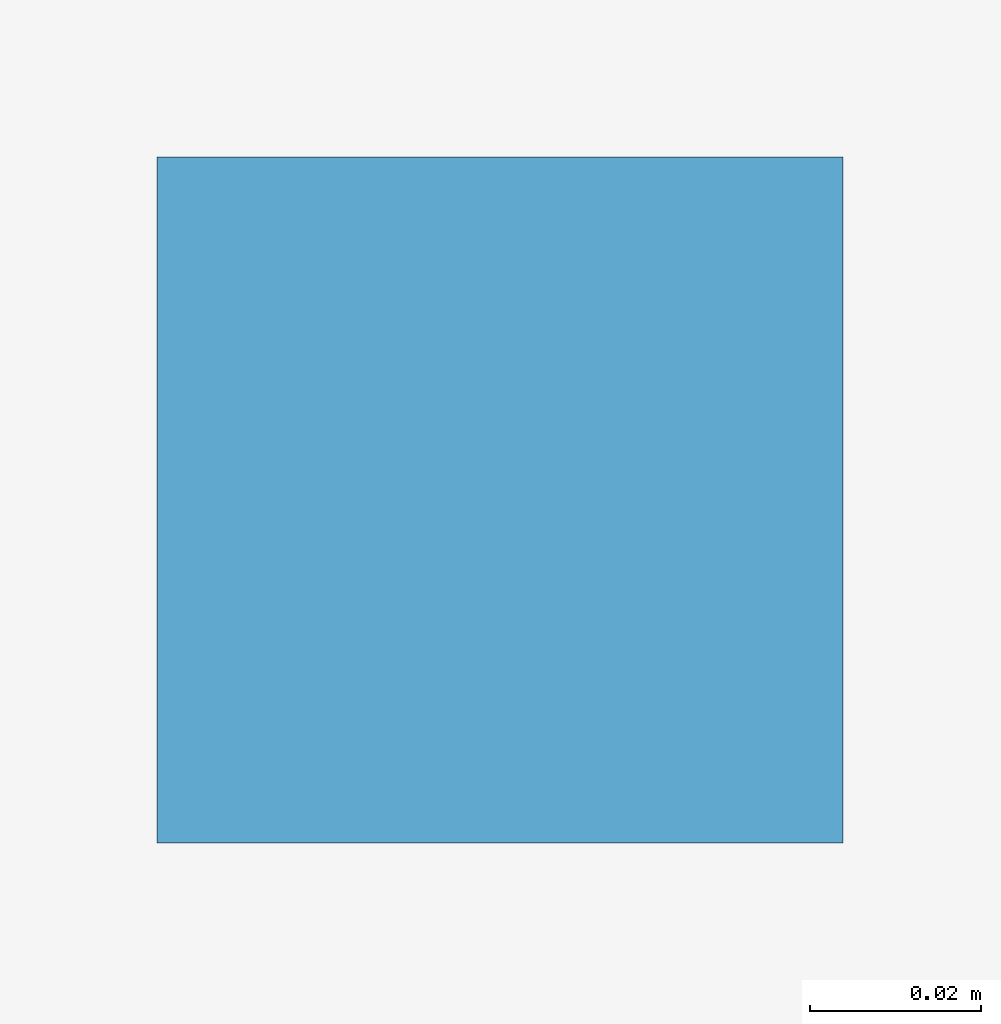
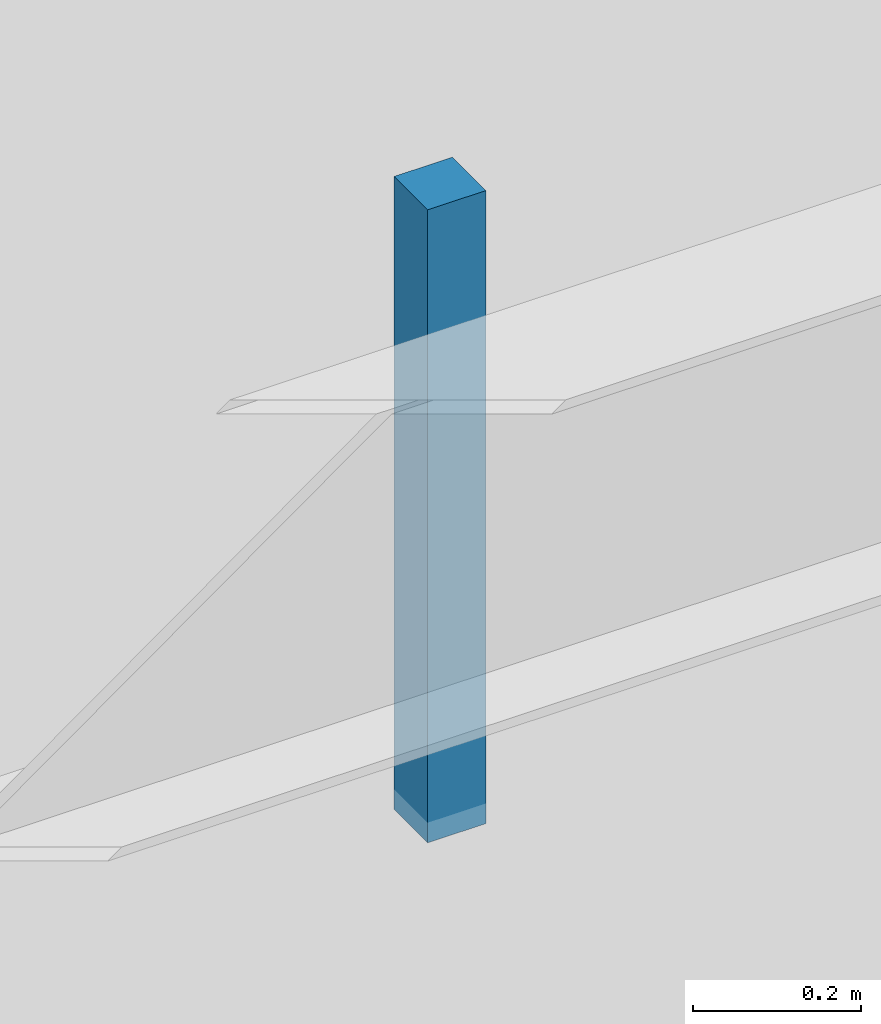
# One storey, part 12 of 17: 1 discrete accessory.
"""IFC4 building model written with IfcOpenShell, lengths in metres."""

from ifc_helpers import new_model, si_unit, direction, frame, origin, origin_2d, place, context, subcontext, project, spatial, rectangle, extrude, source, transform, mapped, material, type_object, element, save


model = new_model("IFC4")

# Units and contexts
model_context = context("Model", 3, precision=1e-05, world=origin(), true_north=direction((0.0, 1.0)))
body_context = subcontext(model_context, "Body", "Model", "MODEL_VIEW")
ifc_project = project(units=[si_unit("LENGTHUNIT", "METRE"), si_unit("AREAUNIT", "SQUARE_METRE"), si_unit("VOLUMEUNIT", "CUBIC_METRE"), si_unit("PLANEANGLEUNIT", "RADIAN"), si_unit("MASSUNIT", "GRAM", prefix="KILO")], contexts=[model_context])

# Site, building, storey
site_placement = place(None, origin())
site = spatial("IfcSite", under=ifc_project, at=site_placement, CompositionType="ELEMENT")
building_placement = place(site_placement, origin())
building = spatial("IfcBuilding", under=site, at=building_placement, Name="Giltprow Tower", CompositionType="ELEMENT")
storey_placement = place(building_placement, frame((0.0, 0.0, 44.89990234375)))
storey = spatial("IfcBuildingStorey", under=building, at=storey_placement, Name="L11", CompositionType="ELEMENT", Elevation=44.89990234375)

# Discrete accessory
ifc_material = material(Name="Structural steel Q355B", Category="steel")
discrete_accessory_type = type_object("IfcDiscreteAccessoryType", Name="ACC-CLG-HANGER", PredefinedType="BRACKET", material=ifc_material)
shared_shape = source(origin(), body_context, "Body", "SweptSolid", [
    extrude(rectangle(XDim=0.080078125, YDim=0.080078125, at=origin_2d()), origin(), (0.0, 0.0, 1.0), 0.919921875),
])
discrete_accessory_placement = place(storey_placement, frame((25.39990234375, 18.876953125, 2.72021484375), z_axis=(0.0, 0.0, 1.0), x_axis=(1.0, 0.0, 0.0)))
element("IfcDiscreteAccessory", 1, at=discrete_accessory_placement, inside=storey, type_object=discrete_accessory_type, Name="L11 Office Acoustic Ceiling Suspension Hanger", PredefinedType="BRACKET", context=body_context, shape_type="MappedRepresentation", body=[
    mapped(shared_shape, transform((0.0, 0.0, 0.0), x_axis=(1.0, 0.0, 0.0), y_axis=(0.0, 1.0, 0.0), z_axis=(0.0, 0.0, 1.0), scale=1.0)),
])

save(model, "model.ifc")
